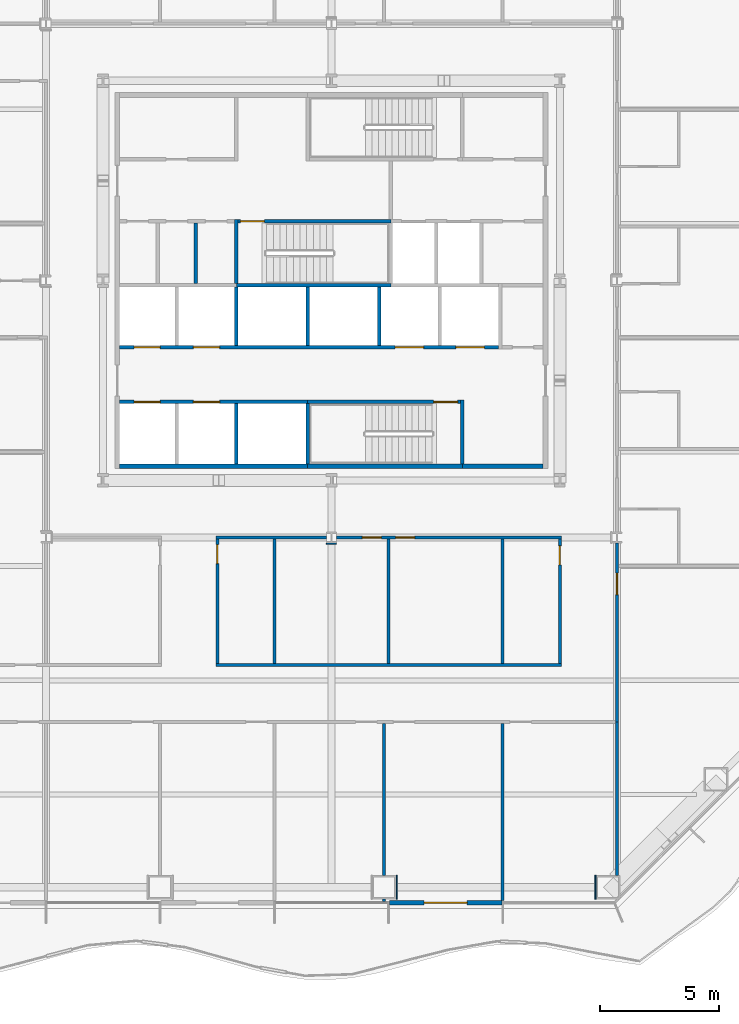
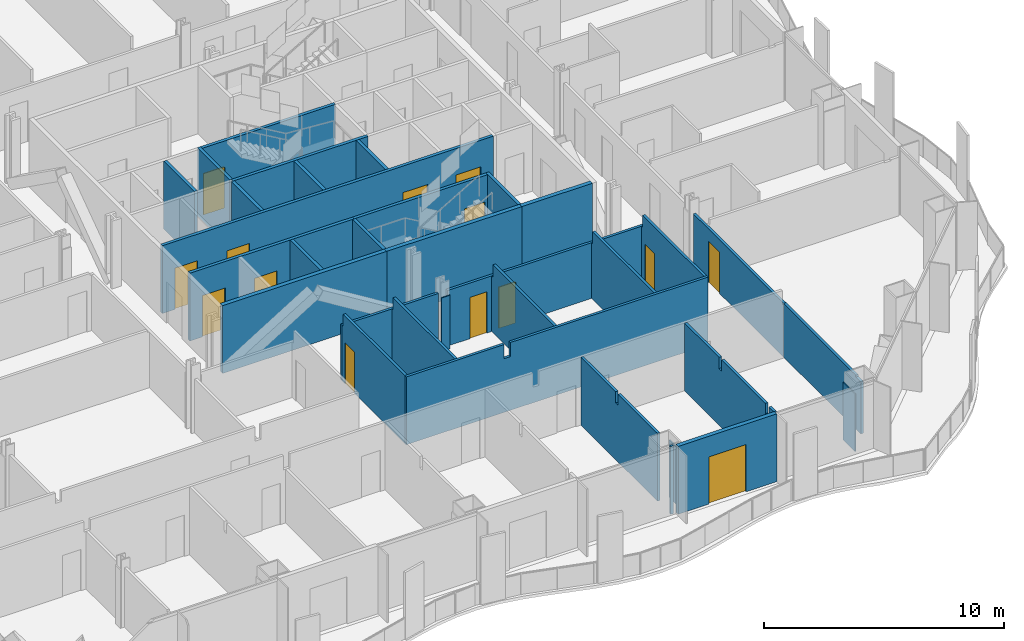
# One storey, part 9 of 20: 33 walls, 14 doors, 14 openings.
"""IFC4 building model written with IfcOpenShell, lengths in metres."""

import ifcopenshell
import ifcopenshell.guid

model = None  # the IFC model being written
_history = None  # IfcOwnerHistory: only IFC2X3 demands one
_inside = {}  # id of a spatial element -> (the spatial element, [elements in it])
_under = {}  # id of a project, library or spatial element -> (it, [spatial elements below it])
_declared = {}  # id of a project -> (the project, [libraries it declares])
_typed = {}  # id of a type object -> (the type object, [elements of that type])
_made_of = {}  # id of a material, layer set ... -> (it, [elements and type objects made of it])


def new_model(schema):
    """Start an empty IFC model of exactly this schema.

    Asked for "IFC4X3", IfcOpenShell would pick the latest addendum, in which some entities
    have other attributes; the version numbers below select the first issue.
    IFC2X3 requires an IfcOwnerHistory on every rooted entity: one is made here for all.
    """
    global model, _history
    if schema == "IFC4X3":
        model = ifcopenshell.file(schema_version=(4, 3, 0, 0))
    else:
        model = ifcopenshell.file(schema=schema)
    _inside.clear()
    _under.clear()
    _declared.clear()
    _typed.clear()
    _made_of.clear()
    _history = None
    if model.schema == "IFC2X3":
        org = make("IfcOrganization", Name="unknown")
        user = make(
            "IfcPersonAndOrganization",
            ThePerson=make("IfcPerson", FamilyName="unknown"),
            TheOrganization=org,
        )
        app = make(
            "IfcApplication",
            ApplicationDeveloper=org,
            Version="unknown",
            ApplicationFullName="unknown",
            ApplicationIdentifier="unknown",
        )
        _history = make(
            "IfcOwnerHistory",
            OwningUser=user,
            OwningApplication=app,
            ChangeAction="ADDED",
            CreationDate=0,
        )
    return model


def make(cls, **values):
    """One entity of the class cls with the attributes given. An attribute that is None is left unset."""
    return model.create_entity(
        cls, **{name: value for name, value in values.items() if value is not None}
    )


def rooted(cls, **values):
    """An entity with a GlobalId (a new one), such as an element, a storey or a relation."""
    return make(cls, GlobalId=ifcopenshell.guid.new(), OwnerHistory=_history, **values)


def si_unit(unit_type, name, prefix=None):
    """IfcSIUnit, for example si_unit("LENGTHUNIT", "METRE", prefix="MILLI")."""
    return make("IfcSIUnit", UnitType=unit_type, Prefix=prefix, Name=name)


def assignment(units):
    """IfcUnitAssignment: the units of a project."""
    return None if units is None else make("IfcUnitAssignment", Units=units)


def point(xyz):
    """IfcCartesianPoint."""
    return None if xyz is None else make("IfcCartesianPoint", Coordinates=xyz)


def direction(xyz):
    """IfcDirection."""
    return None if xyz is None else make("IfcDirection", DirectionRatios=xyz)


def frame(location, z_axis=None, x_axis=None):
    """IfcAxis2Placement3D, a coordinate frame: its origin and axes. An axis left out is left unset."""
    return make(
        "IfcAxis2Placement3D",
        Location=point(location),
        Axis=direction(z_axis),
        RefDirection=direction(x_axis),
    )


def frame_2d(location, x_axis=None):
    """IfcAxis2Placement2D, a coordinate frame in the plane: its origin and x axis."""
    return make(
        "IfcAxis2Placement2D", Location=point(location), RefDirection=direction(x_axis)
    )


def origin():
    """The frame at (0, 0, 0) with its axes left unset."""
    return frame((0.0, 0.0, 0.0))


def place(relative_to, where):
    """IfcLocalPlacement: puts the frame where relative to a parent placement (None: the world)."""
    return make(
        "IfcLocalPlacement", PlacementRelTo=relative_to, RelativePlacement=where
    )


def context(
    kind, dimensions, precision=None, world=None, true_north=None, identifier=None
):
    """IfcGeometricRepresentationContext, for example the 3D "Model" context."""
    return make(
        "IfcGeometricRepresentationContext",
        ContextIdentifier=identifier,
        ContextType=kind,
        CoordinateSpaceDimension=dimensions,
        Precision=precision,
        WorldCoordinateSystem=world,
        TrueNorth=true_north,
    )


def subcontext(parent, identifier, kind, view, scale=None):
    """IfcGeometricRepresentationSubContext, for example "Body" below "Model"."""
    return make(
        "IfcGeometricRepresentationSubContext",
        ContextIdentifier=identifier,
        ContextType=kind,
        ParentContext=parent,
        TargetScale=scale,
        TargetView=view,
    )


def project(units=None, contexts=None):
    """IfcProject with its units and contexts."""
    return rooted(
        "IfcProject",
        Name="project",
        RepresentationContexts=contexts,
        UnitsInContext=assignment(units),
    )


def spatial(cls, under=None, at=None, **own):
    """A site, building, storey or space (cls), placed at a placement, below another one or the project."""
    s = rooted(cls, ObjectPlacement=at, **own)
    if under is not None:
        _under.setdefault(under.id(), (under, []))[1].append(s)
    return s


def polyline(points):
    """IfcPolyline through the points."""
    return make("IfcPolyline", Points=[point(p) for p in points])


def profile(cls, at=None, kind="AREA", **sizes):
    """A parametric profile (cls). Its sizes go by their IFC names, for example OverallWidth=200.0."""
    return make(cls, ProfileType=kind, Position=at, **sizes)


def rectangle(**sizes):
    """IfcRectangleProfileDef."""
    return profile("IfcRectangleProfileDef", **sizes)


def outline(outer, holes=None, kind="AREA"):
    """IfcArbitraryClosedProfileDef: a profile drawn as a closed curve; with holes, ...WithVoids."""
    if holes is None:
        return make("IfcArbitraryClosedProfileDef", ProfileType=kind, OuterCurve=outer)
    return make(
        "IfcArbitraryProfileDefWithVoids",
        ProfileType=kind,
        OuterCurve=outer,
        InnerCurves=holes,
    )


def extrude(swept, where, along, depth):
    """IfcExtrudedAreaSolid: the profile swept, set in the frame where, extruded along a direction by depth."""
    return make(
        "IfcExtrudedAreaSolid",
        SweptArea=swept,
        Position=where,
        ExtrudedDirection=direction(along),
        Depth=depth,
    )


def shape(context_of_items, identifier, shape_type, items):
    """IfcShapeRepresentation: the items that make up one representation, for example the "Body"."""
    return make(
        "IfcShapeRepresentation",
        ContextOfItems=context_of_items,
        RepresentationIdentifier=identifier,
        RepresentationType=shape_type,
        Items=items,
    )


def material(Name=None, Category=None):
    """IfcMaterial."""
    return make("IfcMaterial", Name=Name, Category=Category)


def layer(
    of_material, thickness, ventilated=None, Name=None, Category=None, Priority=None
):
    """IfcMaterialLayer: one layer of a wall or slab, of a material (None: an air gap)."""
    return make(
        "IfcMaterialLayer",
        Material=of_material,
        LayerThickness=thickness,
        IsVentilated=ventilated,
        Name=Name,
        Category=Category,
        Priority=Priority,
    )


def layer_set(layers, Name=None):
    """IfcMaterialLayerSet."""
    return make("IfcMaterialLayerSet", MaterialLayers=layers, LayerSetName=Name)


def made_of(thing, what):
    """Note that an element or type object is made of a material, layer set ...; save() writes the relation."""
    if what is not None:
        _made_of.setdefault(what.id(), (what, []))[1].append(thing)
    return thing


def type_object(cls, material=None, **own):
    """A type object (cls), such as IfcWallType, which elements share."""
    return made_of(rooted(cls, **own), material)


def element(
    cls,
    number,
    at=None,
    inside=None,
    cuts=None,
    type_object=None,
    material=None,
    context=None,
    identifier="Body",
    shape_type=None,
    held_by="IfcProductDefinitionShape",
    body=None,
    shapes=None,
    **own,
):
    """One element of the class cls, such as IfcWall. Its Tag is "e" and its number.

    at: its placement. inside: the storey or other place that contains it. cuts: it is an
    opening in that element (IfcRelVoidsElement). A single representation is given by context,
    identifier, shape_type and body (its items); several are given by shapes. held_by: the class
    of the entity that holds the representations. save() writes the other relations.
    """
    e = rooted(cls, Tag="e%d" % number, ObjectPlacement=at, **own)
    if body is not None:
        shapes = [shape(context, identifier, shape_type, body)]
    if shapes is not None:
        e.Representation = make(held_by, Representations=shapes)
    if inside is not None:
        _inside.setdefault(inside.id(), (inside, []))[1].append(e)
    if cuts is not None:
        rooted(
            "IfcRelVoidsElement", RelatingBuildingElement=cuts, RelatedOpeningElement=e
        )
    if type_object is not None:
        _typed.setdefault(type_object.id(), (type_object, []))[1].append(e)
    return made_of(e, material)


def fill(opening, filler):
    """IfcRelFillsElement: the door or window that sits in an opening."""
    return rooted(
        "IfcRelFillsElement",
        RelatingOpeningElement=opening,
        RelatedBuildingElement=filler,
    )


def aggregate(whole, parts):
    """IfcRelAggregates: a whole, such as a stair, and the parts it consists of."""
    return rooted("IfcRelAggregates", RelatingObject=whole, RelatedObjects=parts)


def save(model, path):
    """Write the relations noted so far, then the file.

    IfcRelAggregates (storeys below a building ...), IfcRelContainedInSpatialStructure (elements
    in a storey), IfcRelDefinesByType, IfcRelAssociatesMaterial and IfcRelDeclares: one each for
    every whole, place, type object, material and project.
    """
    for whole, parts in _under.values():
        aggregate(whole, parts)
    for where, things in _inside.values():
        rooted(
            "IfcRelContainedInSpatialStructure",
            RelatedElements=things,
            RelatingStructure=where,
        )
    for kind, things in _typed.values():
        rooted("IfcRelDefinesByType", RelatedObjects=things, RelatingType=kind)
    for what, things in _made_of.values():
        rooted("IfcRelAssociatesMaterial", RelatedObjects=things, RelatingMaterial=what)
    for by, libraries in _declared.values():
        rooted("IfcRelDeclares", RelatingContext=by, RelatedDefinitions=libraries)
    model.write(path)


model = new_model("IFC4")

# Units and contexts
model_context = context("Model", 3, precision=1e-05, world=origin(), true_north=direction((0.0, 1.0)))
body_context = subcontext(model_context, "Body", "Model", "MODEL_VIEW")
ifc_project = project(units=[si_unit("LENGTHUNIT", "METRE"), si_unit("AREAUNIT", "SQUARE_METRE"), si_unit("VOLUMEUNIT", "CUBIC_METRE"), si_unit("PLANEANGLEUNIT", "RADIAN"), si_unit("MASSUNIT", "GRAM", prefix="KILO")], contexts=[model_context])

# Site, building, storey
site_placement = place(None, origin())
site = spatial("IfcSite", under=ifc_project, at=site_placement, CompositionType="ELEMENT")
building_placement = place(site_placement, origin())
building = spatial("IfcBuilding", under=site, at=building_placement, Name="Cairn Pilgrim Tower", CompositionType="ELEMENT")
storey_placement = place(building_placement, frame((0.0, 0.0, 61.800048828125)))
storey = spatial("IfcBuildingStorey", under=building, at=storey_placement, Name="L13", CompositionType="ELEMENT", Elevation=61.800048828125)

# Wall, opening, door
ifc_material_1 = material(Name="Bronze anodised aluminium insulated sandwich panel with mineral wool fill", Category="aluminium")
ifc_layer_1 = layer(ifc_material_1, 0.199951171875)
ifc_layer_set_1 = layer_set([ifc_layer_1], Name="BRONZE INFILL FRAME WALL 200")
wall_type_1 = type_object("IfcWallType", Name="BRONZE INFILL FRAME WALL 200", PredefinedType="NOTDEFINED", material=ifc_layer_set_1)
wall_1_placement = place(storey_placement, frame((9.6298828125, -23.75, 0.0), z_axis=(0.0, 0.0, 1.0), x_axis=(1.0, 0.0, 0.0)))
wall_1 = element("IfcWall", 1, at=wall_1_placement, inside=storey, type_object=wall_type_1, Name="Bronze infill frame wall IW-S7", PredefinedType="NOTDEFINED", context=body_context, shape_type="SweptSolid", body=[
    extrude(rectangle(XDim=4.740234375, YDim=0.199951171875, at=frame_2d((2.3701171875, 0.0))), origin(), (0.0, 0.0, 1.0), 3.449951171875),
])
opening_1_placement = place(wall_1_placement, frame((1.469970703125, 0.0, 0.0)))
opening_1 = element("IfcOpeningElement", 2, at=opening_1_placement, cuts=wall_1, Name="Opening 1307B", PredefinedType="OPENING", context=body_context, shape_type="SweptSolid", body=[
    extrude(rectangle(XDim=1.800048828125, YDim=2.39990234375, at=frame_2d((0.89990234375, 1.199951171875))), frame((0.0, 0.10986328125, 0.0), z_axis=(0.0, -1.0, 0.0), x_axis=(1.0, 0.0, 0.0)), (0.0, 0.0, 1.0), 0.219970703125),
])
ifc_material_2 = material(Name="Bronze anodised aluminium frame with tinted low-E glass", Category="aluminium")
door_type_1 = type_object("IfcDoorType", Name="BALCONY SLIDING DOOR 1800x2400", OperationType="DOUBLE_DOOR_SLIDING", PredefinedType="DOOR", material=ifc_material_2)
door_1_placement = place(opening_1_placement, origin())
door_1 = element("IfcDoor", 3, at=door_1_placement, inside=storey, type_object=door_type_1, Name="Balcony sliding door 1307B", OperationType="SINGLE_SWING_LEFT", OverallHeight=2.39990234375, OverallWidth=1.800048828125, PredefinedType="DOOR", context=body_context, shape_type="SweptSolid", body=[
    extrude(rectangle(XDim=1.800048828125, YDim=2.39990234375, at=frame_2d((0.89990234375, 1.199951171875))), frame((0.0, 0.02490234375, 0.0), z_axis=(0.0, -1.0, 0.0), x_axis=(1.0, 0.0, 0.0)), (0.0, 0.0, 1.0), 0.050048828125),
])
fill(opening_1, door_1)

# Walls
ifc_material_3 = material(Name="Concrete C32/40", Category="concrete")
ifc_layer_2 = layer(ifc_material_3, 0.199951171875)
ifc_layer_set_2 = layer_set([ifc_layer_2], Name="CORE OUTER WALL 200 EI 120")
wall_type_2 = type_object("IfcWallType", Name="CORE OUTER WALL 200 EI 120", PredefinedType="SOLIDWALL", material=ifc_layer_set_2)
wall_2_placement = place(storey_placement, frame((-1.699951171875, -5.39990234375, 0.0), z_axis=(0.0, 0.0, 1.0), x_axis=(1.0, 0.0, 0.0)))
element("IfcWall", 4, at=wall_2_placement, inside=storey, type_object=wall_type_2, Name="CW:L13:H01-1", PredefinedType="SOLIDWALL", context=body_context, shape_type="SweptSolid", body=[
    extrude(rectangle(XDim=7.89990234375, YDim=0.199951171875, at=frame_2d((3.949951171875, 0.0))), origin(), (0.0, 0.0, 1.0), 3.449951171875),
])
wall_3_placement = place(storey_placement, frame((12.699951171875, -5.39990234375, 0.0), z_axis=(0.0, 0.0, 1.0), x_axis=(1.0, 0.0, 0.0)))
element("IfcWall", 5, at=wall_3_placement, inside=storey, type_object=wall_type_2, Name="CW:L13:H01-3", PredefinedType="SOLIDWALL", context=body_context, shape_type="SweptSolid", body=[
    extrude(rectangle(XDim=3.400146484375, YDim=0.199951171875, at=frame_2d((1.7001953125, 0.0))), origin(), (0.0, 0.0, 1.0), 3.449951171875),
])
ifc_layer_3 = layer(ifc_material_3, 0.14990234375)
ifc_layer_set_3 = layer_set([ifc_layer_3], Name="CORE PARTITION 150 EI 60")
wall_type_3 = type_object("IfcWallType", Name="CORE PARTITION 150 EI 60", PredefinedType="PARTITIONING", material=ifc_layer_set_3)
wall_4_placement = place(storey_placement, frame((1.5, 2.27490234375, 0.0), z_axis=(0.0, 0.0, 1.0), x_axis=(0.0, 1.0, 0.0)))
element("IfcWall", 6, at=wall_4_placement, inside=storey, type_object=wall_type_3, Name="CW:L13:V16", PredefinedType="PARTITIONING", context=body_context, shape_type="SweptSolid", body=[
    extrude(rectangle(XDim=2.550048828125, YDim=0.14990234375, at=frame_2d((1.27490234375, 0.0))), origin(), (0.0, 0.0, 1.0), 3.449951171875),
])

# Wall, openings, doors
ifc_layer_4 = layer(ifc_material_3, 0.14990234375)
ifc_layer_set_4 = layer_set([ifc_layer_4], Name="CORE SHAFT WALL 150 EI 120")
wall_type_4 = type_object("IfcWallType", Name="CORE SHAFT WALL 150 EI 120", PredefinedType="SOLIDWALL", material=ifc_layer_set_4)
wall_5_placement = place(storey_placement, frame((-1.699951171875, -2.699951171875, 0.0), z_axis=(0.0, 0.0, 1.0), x_axis=(1.0, 0.0, 0.0)))
wall_5 = element("IfcWall", 7, at=wall_5_placement, inside=storey, type_object=wall_type_4, Name="CW:L13:H02-1", PredefinedType="SOLIDWALL", context=body_context, shape_type="SweptSolid", body=[
    extrude(rectangle(XDim=7.89990234375, YDim=0.14990234375, at=frame_2d((3.949951171875, 0.0))), origin(), (0.0, 0.0, 1.0), 3.449951171875),
])
opening_2_placement = place(wall_5_placement, frame((0.60009765625, 0.0, 0.0)))
opening_2 = element("IfcOpeningElement", 8, at=opening_2_placement, cuts=wall_5, Name="Opening LD-LR1", PredefinedType="OPENING", context=body_context, shape_type="SweptSolid", body=[
    extrude(rectangle(XDim=1.10009765625, YDim=2.10009765625, at=frame_2d((0.550048828125, 1.050048828125))), frame((0.0, 0.0849609375, 0.0), z_axis=(0.0, -1.0, 0.0), x_axis=(1.0, 0.0, 0.0)), (0.0, 0.0, 1.0), 0.169921875),
])
opening_3_placement = place(wall_5_placement, frame((3.10009765625, 0.0, 0.0)))
opening_3 = element("IfcOpeningElement", 9, at=opening_3_placement, cuts=wall_5, Name="Opening LD-LR2", PredefinedType="OPENING", context=body_context, shape_type="SweptSolid", body=[
    extrude(rectangle(XDim=1.10009765625, YDim=2.10009765625, at=frame_2d((0.550048828125, 1.050048828125))), frame((0.0, 0.0849609375, 0.0), z_axis=(0.0, -1.0, 0.0), x_axis=(1.0, 0.0, 0.0)), (0.0, 0.0, 1.0), 0.169921875),
])
ifc_material_4 = material(Name="Stainless steel", Category="steel")
door_type_2 = type_object("IfcDoorType", Name="LIFT LANDING DOOR 1100x2100", OperationType="DOUBLE_DOOR_SLIDING", PredefinedType="DOOR", material=ifc_material_4)
door_2_placement = place(opening_2_placement, origin())
door_2 = element("IfcDoor", 10, at=door_2_placement, inside=storey, type_object=door_type_2, Name="LANDING DOOR LR1", OperationType="DOUBLE_DOOR_SLIDING", OverallHeight=2.10009765625, OverallWidth=1.10009765625, PredefinedType="DOOR", context=body_context, shape_type="SweptSolid", body=[
    extrude(rectangle(XDim=1.10009765625, YDim=2.10009765625, at=frame_2d((0.550048828125, 1.050048828125))), frame((0.0, 0.02490234375, 0.0), z_axis=(0.0, -1.0, 0.0), x_axis=(1.0, 0.0, 0.0)), (0.0, 0.0, 1.0), 0.050048828125),
])
fill(opening_2, door_2)
door_3_placement = place(opening_3_placement, origin())
door_3 = element("IfcDoor", 11, at=door_3_placement, inside=storey, type_object=door_type_2, Name="LANDING DOOR LR2", OperationType="DOUBLE_DOOR_SLIDING", OverallHeight=2.10009765625, OverallWidth=1.10009765625, PredefinedType="DOOR", context=body_context, shape_type="SweptSolid", body=[
    extrude(rectangle(XDim=1.10009765625, YDim=2.10009765625, at=frame_2d((0.550048828125, 1.050048828125))), frame((0.0, 0.02490234375, 0.0), z_axis=(0.0, -1.0, 0.0), x_axis=(1.0, 0.0, 0.0)), (0.0, 0.0, 1.0), 0.050048828125),
])
fill(opening_3, door_3)

wall_6_placement = place(storey_placement, frame((-1.699951171875, -0.39990234375, 0.0), z_axis=(0.0, 0.0, 1.0), x_axis=(1.0, 0.0, 0.0)))
wall_6 = element("IfcWall", 12, at=wall_6_placement, inside=storey, type_object=wall_type_4, Name="CW:L13:H03", PredefinedType="SOLIDWALL", context=body_context, shape_type="SweptSolid", body=[
    extrude(rectangle(XDim=15.925048828125, YDim=0.14990234375, at=frame_2d((7.96240234375, 0.0))), origin(), (0.0, 0.0, 1.0), 3.449951171875),
])
opening_4_placement = place(wall_6_placement, frame((0.60009765625, 0.0, 0.0)))
opening_4 = element("IfcOpeningElement", 13, at=opening_4_placement, cuts=wall_6, Name="Opening LD-LR3", PredefinedType="OPENING", context=body_context, shape_type="SweptSolid", body=[
    extrude(rectangle(XDim=1.10009765625, YDim=2.10009765625, at=frame_2d((0.550048828125, 1.050048828125))), frame((0.0, 0.0849609375, 0.0), z_axis=(0.0, -1.0, 0.0), x_axis=(1.0, 0.0, 0.0)), (0.0, 0.0, 1.0), 0.169921875),
])
opening_5_placement = place(wall_6_placement, frame((3.10009765625, 0.0, 0.0)))
opening_5 = element("IfcOpeningElement", 14, at=opening_5_placement, cuts=wall_6, Name="Opening LD-LR4", PredefinedType="OPENING", context=body_context, shape_type="SweptSolid", body=[
    extrude(rectangle(XDim=1.10009765625, YDim=2.10009765625, at=frame_2d((0.550048828125, 1.050048828125))), frame((0.0, 0.0849609375, 0.0), z_axis=(0.0, -1.0, 0.0), x_axis=(1.0, 0.0, 0.0)), (0.0, 0.0, 1.0), 0.169921875),
])
opening_6_placement = place(wall_6_placement, frame((11.574951171875, 0.0, 0.0)))
opening_6 = element("IfcOpeningElement", 15, at=opening_6_placement, cuts=wall_6, Name="Opening LD-SV1", PredefinedType="OPENING", context=body_context, shape_type="SweptSolid", body=[
    extrude(rectangle(XDim=1.199951171875, YDim=2.10009765625, at=frame_2d((0.60009765625, 1.050048828125))), frame((0.0, 0.0849609375, 0.0), z_axis=(0.0, -1.0, 0.0), x_axis=(1.0, 0.0, 0.0)), (0.0, 0.0, 1.0), 0.169921875),
])
opening_7_placement = place(wall_6_placement, frame((14.125, 0.0, 0.0)))
opening_7 = element("IfcOpeningElement", 16, at=opening_7_placement, cuts=wall_6, Name="Opening LD-SV2", PredefinedType="OPENING", context=body_context, shape_type="SweptSolid", body=[
    extrude(rectangle(XDim=1.199951171875, YDim=2.10009765625, at=frame_2d((0.60009765625, 1.050048828125))), frame((0.0, 0.0849609375, 0.0), z_axis=(0.0, -1.0, 0.0), x_axis=(1.0, 0.0, 0.0)), (0.0, 0.0, 1.0), 0.169921875),
])
door_4_placement = place(opening_4_placement, origin())
door_4 = element("IfcDoor", 17, at=door_4_placement, inside=storey, type_object=door_type_2, Name="LANDING DOOR LR3", OperationType="DOUBLE_DOOR_SLIDING", OverallHeight=2.10009765625, OverallWidth=1.10009765625, PredefinedType="DOOR", context=body_context, shape_type="SweptSolid", body=[
    extrude(rectangle(XDim=1.10009765625, YDim=2.10009765625, at=frame_2d((0.550048828125, 1.050048828125))), frame((0.0, 0.02490234375, 0.0), z_axis=(0.0, -1.0, 0.0), x_axis=(1.0, 0.0, 0.0)), (0.0, 0.0, 1.0), 0.050048828125),
])
fill(opening_4, door_4)
door_5_placement = place(opening_5_placement, origin())
door_5 = element("IfcDoor", 18, at=door_5_placement, inside=storey, type_object=door_type_2, Name="LANDING DOOR LR4", OperationType="DOUBLE_DOOR_SLIDING", OverallHeight=2.10009765625, OverallWidth=1.10009765625, PredefinedType="DOOR", context=body_context, shape_type="SweptSolid", body=[
    extrude(rectangle(XDim=1.10009765625, YDim=2.10009765625, at=frame_2d((0.550048828125, 1.050048828125))), frame((0.0, 0.02490234375, 0.0), z_axis=(0.0, -1.0, 0.0), x_axis=(1.0, 0.0, 0.0)), (0.0, 0.0, 1.0), 0.050048828125),
])
fill(opening_5, door_5)
door_type_3 = type_object("IfcDoorType", Name="LIFT LANDING DOOR 1200x2100", OperationType="DOUBLE_DOOR_SLIDING", PredefinedType="DOOR", material=ifc_material_4)
door_6_placement = place(opening_6_placement, origin())
door_6 = element("IfcDoor", 19, at=door_6_placement, inside=storey, type_object=door_type_3, Name="LANDING DOOR SV1", OperationType="DOUBLE_DOOR_SLIDING", OverallHeight=2.10009765625, OverallWidth=1.199951171875, PredefinedType="DOOR", context=body_context, shape_type="SweptSolid", body=[
    extrude(rectangle(XDim=1.199951171875, YDim=2.10009765625, at=frame_2d((0.60009765625, 1.050048828125))), frame((0.0, 0.02490234375, 0.0), z_axis=(0.0, -1.0, 0.0), x_axis=(1.0, 0.0, 0.0)), (0.0, 0.0, 1.0), 0.050048828125),
])
fill(opening_6, door_6)
door_7_placement = place(opening_7_placement, origin())
door_7 = element("IfcDoor", 20, at=door_7_placement, inside=storey, type_object=door_type_3, Name="LANDING DOOR SV2", OperationType="DOUBLE_DOOR_SLIDING", OverallHeight=2.10009765625, OverallWidth=1.199951171875, PredefinedType="DOOR", context=body_context, shape_type="SweptSolid", body=[
    extrude(rectangle(XDim=1.199951171875, YDim=2.10009765625, at=frame_2d((0.60009765625, 1.050048828125))), frame((0.0, 0.02490234375, 0.0), z_axis=(0.0, -1.0, 0.0), x_axis=(1.0, 0.0, 0.0)), (0.0, 0.0, 1.0), 0.050048828125),
])
fill(opening_7, door_7)

# Walls
wall_7_placement = place(storey_placement, frame((3.199951171875, -5.300048828125, 0.0), z_axis=(0.0, 0.0, 1.0), x_axis=(0.0, 1.0, 0.0)))
element("IfcWall", 21, at=wall_7_placement, inside=storey, type_object=wall_type_4, Name="CW:L13:V17", PredefinedType="SOLIDWALL", context=body_context, shape_type="SweptSolid", body=[
    extrude(rectangle(XDim=2.525146484375, YDim=0.14990234375, at=frame_2d((1.2626953125, 0.0))), origin(), (0.0, 0.0, 1.0), 3.449951171875),
])
for number, where, z_axis, x_axis, name in (
    (22, (3.199951171875, -0.324951171875, 0.0), (0.0, 0.0, 1.0), (0.0, 1.0, 0.0), "CW:L13:V18"),
    (23, (6.199951171875, -0.324951171875, 0.0), (0.0, 0.0, 1.0), (0.0, 1.0, 0.0), "CW:L13:V22"),
    (24, (9.199951171875, -0.324951171875, 0.0), (0.0, 0.0, 1.0), (0.0, 1.0, 0.0), "CW:L13:V24"),
):
    element("IfcWall", number, at=place(storey_placement, frame(where, z_axis=z_axis, x_axis=x_axis)), inside=storey, type_object=wall_type_4, Name=name, PredefinedType="SOLIDWALL", context=body_context, shape_type="SweptSolid", body=[
        extrude(rectangle(XDim=2.449951171875, YDim=0.14990234375, at=frame_2d((1.22509765625, 0.0))), origin(), (0.0, 0.0, 1.0), 3.449951171875),
    ])
ifc_material_5 = material(Name="Gypsum partition")
ifc_layer_5 = layer(ifc_material_5, 0.125)
ifc_layer_set_5 = layer_set([ifc_layer_5], Name="PARTITION 125 DRYWALL EI 60")
wall_type_5 = type_object("IfcWallType", Name="PARTITION 125 DRYWALL EI 60", PredefinedType="PARTITIONING", material=ifc_layer_set_5)
wall_8_placement = place(storey_placement, frame((9.4140625, -23.702880859375, 0.0), z_axis=(0.0, 0.0, 1.0), x_axis=(0.0, 1.0, 0.0)))
element("IfcWall", 25, at=wall_8_placement, inside=storey, type_object=wall_type_5, Name="PARTITION W004", PredefinedType="PARTITIONING", context=body_context, shape_type="SweptSolid", body=[
    extrude(rectangle(XDim=0.102783203125, YDim=0.125, at=frame_2d((0.05126953125, 0.0))), origin(), (0.0, 0.0, 1.0), 3.449951171875),
])
wall_9_placement = place(storey_placement, frame((14.39990234375, -23.64990234375, 0.0), z_axis=(0.0, 0.0, 1.0), x_axis=(0.0, 1.0, 0.0)))
element("IfcWall", 26, at=wall_9_placement, inside=storey, type_object=wall_type_5, Name="PARTITION W005", PredefinedType="PARTITIONING", context=body_context, shape_type="SweptSolid", body=[
    extrude(outline(polyline([(0.0, 0.0), (7.4375, 0.0), (7.4375, 3.449951171875), (4.554931640625, 3.449951171875), (4.552978515625, 2.8798828125), (4.344970703125, 2.8798828125), (4.343017578125, 3.449951171875), (0.699951171875, 3.449951171875), (0.697998046875, 2.929931640625), (0.39990234375, 2.929931640625), (0.39794921875, 3.449951171875), (0.0, 3.449951171875), (0.0, 0.0)])), frame((0.0, 0.0625, 0.0), z_axis=(0.0, -1.0, 0.0), x_axis=(1.0, 0.0, 0.0)), (0.0, 0.0, 1.0), 0.125),
])
wall_10_placement = place(storey_placement, frame((9.4140625, -22.60009765625, 0.0), z_axis=(0.0, 0.0, 1.0), x_axis=(0.0, 1.0, 0.0)))
element("IfcWall", 27, at=wall_10_placement, inside=storey, type_object=wall_type_5, Name="PARTITION W008", PredefinedType="PARTITIONING", context=body_context, shape_type="SweptSolid", body=[
    extrude(outline(polyline([(0.0, 0.0), (6.3876953125, 0.0), (6.387451171875, 3.449951171875), (3.5048828125, 3.449951171875), (3.5029296875, 2.8798828125), (3.294921875, 2.8798828125), (3.29296875, 3.449951171875), (0.0, 3.449951171875), (0.0, 0.0)])), frame((0.0, 0.0625, 0.0), z_axis=(0.0, -1.0, 0.0), x_axis=(1.0, 0.0, 0.0)), (0.0, 0.0, 1.0), 0.125),
])
wall_11_placement = place(storey_placement, frame((19.199951171875, -22.60009765625, 0.0), z_axis=(0.0, 0.0, 1.0), x_axis=(0.0, 1.0, 0.0)))
element("IfcWall", 28, at=wall_11_placement, inside=storey, type_object=wall_type_5, Name="PARTITION W009", PredefinedType="PARTITIONING", context=body_context, shape_type="SweptSolid", body=[
    extrude(outline(polyline([(0.0, 0.0), (6.4501953125, 0.0), (6.449951171875, 2.72998046875), (0.430419921875, 2.72998046875), (0.42822265625, 2.6298828125), (0.0, 2.6298828125), (0.0, 0.0)])), frame((0.0, 0.0625, 0.0), z_axis=(0.0, -1.0, 0.0), x_axis=(1.0, 0.0, 0.0)), (0.0, 0.0, 1.0), 0.125),
])

# Wall, opening, door
wall_12_placement = place(storey_placement, frame((19.199951171875, -16.14990234375, 0.0), z_axis=(0.0, 0.0, 1.0), x_axis=(0.0, 1.0, 0.0)))
wall_12 = element("IfcWall", 29, at=wall_12_placement, inside=storey, type_object=wall_type_5, Name="PARTITION W014", PredefinedType="PARTITIONING", context=body_context, shape_type="SweptSolid", body=[
    extrude(rectangle(XDim=7.512939453125, YDim=0.125, at=frame_2d((3.75634765625, 0.0))), origin(), (0.0, 0.0, 1.0), 2.72998046875),
])
opening_8_placement = place(wall_12_placement, frame((5.35009765625, 0.0, 0.0)))
opening_8 = element("IfcOpeningElement", 30, at=opening_8_placement, cuts=wall_12, Name="Opening 1323", PredefinedType="OPENING", context=body_context, shape_type="SweptSolid", body=[
    extrude(rectangle(XDim=0.89990234375, YDim=2.10009765625, at=frame_2d((0.449951171875, 1.050048828125))), frame((0.0, 0.072509765625, 0.0), z_axis=(0.0, -1.0, 0.0), x_axis=(1.0, 0.0, 0.0)), (0.0, 0.0, 1.0), 0.14501953125),
])
ifc_material_6 = material(Name="Steel-faced fire door leaf", Category="steel")
door_type_4 = type_object("IfcDoorType", Name="FIRE DOOR 900x2100 FD30S", OperationType="NOTDEFINED", PredefinedType="DOOR", material=ifc_material_6)
door_8_placement = place(opening_8_placement, frame((0.89990234375, 0.0, 0.0), z_axis=(0.0, 0.0, 1.0), x_axis=(-1.0, 0.0, 0.0)))
door_8 = element("IfcDoor", 31, at=door_8_placement, inside=storey, type_object=door_type_4, Name="DOOR 1323", OperationType="SINGLE_SWING_RIGHT", OverallHeight=2.10009765625, OverallWidth=0.89990234375, PredefinedType="DOOR", context=body_context, shape_type="SweptSolid", body=[
    extrude(rectangle(XDim=0.89990234375, YDim=2.10009765625, at=frame_2d((0.449951171875, 1.050048828125))), frame((0.0, 0.02490234375, 0.0), z_axis=(0.0, -1.0, 0.0), x_axis=(1.0, 0.0, 0.0)), (0.0, 0.0, 1.0), 0.050048828125),
])
fill(opening_8, door_8)

# Wall
wall_13_placement = place(storey_placement, frame((2.33740234375, -13.75, 0.0), z_axis=(0.0, 0.0, 1.0), x_axis=(1.0, 0.0, 0.0)))
element("IfcWall", 32, at=wall_13_placement, inside=storey, type_object=wall_type_5, Name="PARTITION W016", PredefinedType="PARTITIONING", context=body_context, shape_type="SweptSolid", body=[
    extrude(outline(polyline([(0.0, 0.0), (14.525146484375, 0.0), (14.52490234375, 3.449951171875), (5.012451171875, 3.449951171875), (5.010498046875, 2.72998046875), (4.71240234375, 2.72998046875), (4.71044921875, 3.449951171875), (0.0, 3.449951171875), (0.0, 0.0)])), frame((0.0, 0.0625, 0.0), z_axis=(0.0, -1.0, 0.0), x_axis=(1.0, 0.0, 0.0)), (0.0, 0.0, 1.0), 0.125),
])

# Wall, opening, door
wall_14_placement = place(storey_placement, frame((2.39990234375, -13.6875, 0.0), z_axis=(0.0, 0.0, 1.0), x_axis=(0.0, 1.0, 0.0)))
wall_14 = element("IfcWall", 33, at=wall_14_placement, inside=storey, type_object=wall_type_5, Name="PARTITION W021", PredefinedType="PARTITIONING", context=body_context, shape_type="SweptSolid", body=[
    extrude(outline(polyline([(0.0, 0.0), (5.22509765625, 0.0), (5.22509765625, 2.829833984375), (5.137451171875, 2.829833984375), (5.135498046875, 3.449951171875), (0.0, 3.449951171875), (0.0, 0.0)])), frame((0.0, 0.0625, 0.0), z_axis=(0.0, -1.0, 0.0), x_axis=(1.0, 0.0, 0.0)), (0.0, 0.0, 1.0), 0.125),
])
opening_9_placement = place(wall_14_placement, frame((4.1875, 0.0, 0.0)))
opening_9 = element("IfcOpeningElement", 34, at=opening_9_placement, cuts=wall_14, Name="Opening 1336", PredefinedType="OPENING", context=body_context, shape_type="SweptSolid", body=[
    extrude(rectangle(XDim=0.800048828125, YDim=2.10009765625, at=frame_2d((0.39990234375, 1.050048828125))), frame((0.0, 0.072509765625, 0.0), z_axis=(0.0, -1.0, 0.0), x_axis=(1.0, 0.0, 0.0)), (0.0, 0.0, 1.0), 0.14501953125),
])
door_type_5 = type_object("IfcDoorType", Name="FIRE DOOR 800x2100 FD30S", OperationType="NOTDEFINED", PredefinedType="DOOR", material=ifc_material_6)
door_9_placement = place(opening_9_placement, frame((0.800048828125, 0.0, 0.0), z_axis=(0.0, 0.0, 1.0), x_axis=(-1.0, 0.0, 0.0)))
door_9 = element("IfcDoor", 35, at=door_9_placement, inside=storey, type_object=door_type_5, Name="DOOR 1336", OperationType="SINGLE_SWING_LEFT", OverallHeight=2.10009765625, OverallWidth=0.800048828125, PredefinedType="DOOR", context=body_context, shape_type="SweptSolid", body=[
    extrude(rectangle(XDim=0.800048828125, YDim=2.10009765625, at=frame_2d((0.39990234375, 1.050048828125))), frame((0.0, 0.02490234375, 0.0), z_axis=(0.0, -1.0, 0.0), x_axis=(1.0, 0.0, 0.0)), (0.0, 0.0, 1.0), 0.050048828125),
])
fill(opening_9, door_9)

# Walls
for number, where, z_axis, x_axis, name in (
    (36, (4.800048828125, -13.6875, 0.0), (0.0, 0.0, 1.0), (0.0, 1.0, 0.0), "PARTITION W022"),
    (37, (9.60009765625, -13.6875, 0.0), (0.0, 0.0, 1.0), (0.0, 1.0, 0.0), "PARTITION W023"),
    (38, (14.39990234375, -13.6875, 0.0), (0.0, 0.0, 1.0), (0.0, 1.0, 0.0), "PARTITION W024"),
):
    element("IfcWall", number, at=place(storey_placement, frame(where, z_axis=z_axis, x_axis=x_axis)), inside=storey, type_object=wall_type_5, Name=name, PredefinedType="PARTITIONING", context=body_context, shape_type="SweptSolid", body=[
        extrude(outline(polyline([(0.0, 0.0), (5.22509765625, 0.0), (5.22509765625, 2.829833984375), (5.137451171875, 2.829833984375), (5.135498046875, 3.449951171875), (0.0, 3.449951171875), (0.0, 0.0)])), frame((0.0, 0.0625, 0.0), z_axis=(0.0, -1.0, 0.0), x_axis=(1.0, 0.0, 0.0)), (0.0, 0.0, 1.0), 0.125),
    ])

# Wall, opening, door
wall_15_placement = place(storey_placement, frame((16.800048828125, -13.6875, 0.0), z_axis=(0.0, 0.0, 1.0), x_axis=(0.0, 1.0, 0.0)))
wall_15 = element("IfcWall", 39, at=wall_15_placement, inside=storey, type_object=wall_type_5, Name="PARTITION W025", PredefinedType="PARTITIONING", context=body_context, shape_type="SweptSolid", body=[
    extrude(outline(polyline([(0.0, 0.0), (5.22509765625, 0.0), (5.22509765625, 2.829833984375), (5.137451171875, 2.829833984375), (5.135498046875, 3.449951171875), (0.0, 3.449951171875), (0.0, 0.0)])), frame((0.0, 0.0625, 0.0), z_axis=(0.0, -1.0, 0.0), x_axis=(1.0, 0.0, 0.0)), (0.0, 0.0, 1.0), 0.125),
])
opening_10_placement = place(wall_15_placement, frame((4.137451171875, 0.0, 0.0)))
opening_10 = element("IfcOpeningElement", 40, at=opening_10_placement, cuts=wall_15, Name="Opening 1339", PredefinedType="OPENING", context=body_context, shape_type="SweptSolid", body=[
    extrude(rectangle(XDim=0.800048828125, YDim=2.10009765625, at=frame_2d((0.39990234375, 1.050048828125))), frame((0.0, 0.072509765625, 0.0), z_axis=(0.0, -1.0, 0.0), x_axis=(1.0, 0.0, 0.0)), (0.0, 0.0, 1.0), 0.14501953125),
])
door_10_placement = place(opening_10_placement, origin())
door_10 = element("IfcDoor", 41, at=door_10_placement, inside=storey, type_object=door_type_5, Name="DOOR 1339", OperationType="SINGLE_SWING_RIGHT", OverallHeight=2.10009765625, OverallWidth=0.800048828125, PredefinedType="DOOR", context=body_context, shape_type="SweptSolid", body=[
    extrude(rectangle(XDim=0.800048828125, YDim=2.10009765625, at=frame_2d((0.39990234375, 1.050048828125))), frame((0.0, 0.02490234375, 0.0), z_axis=(0.0, -1.0, 0.0), x_axis=(1.0, 0.0, 0.0)), (0.0, 0.0, 1.0), 0.050048828125),
])
fill(opening_10, door_10)

# Wall
wall_16_placement = place(storey_placement, frame((2.33740234375, -8.39990234375, 0.0), z_axis=(0.0, 0.0, 1.0), x_axis=(1.0, 0.0, 0.0)))
element("IfcWall", 42, at=wall_16_placement, inside=storey, type_object=wall_type_5, Name="PARTITION W030", PredefinedType="PARTITIONING", context=body_context, shape_type="SweptSolid", body=[
    extrude(rectangle(XDim=4.650634765625, YDim=0.125, at=frame_2d((2.3251953125, 0.0))), origin(), (0.0, 0.0, 1.0), 2.829833984375),
])

# Wall, openings, doors
wall_17_placement = place(storey_placement, frame((7.412109375, -8.39990234375, 0.0), z_axis=(0.0, 0.0, 1.0), x_axis=(1.0, 0.0, 0.0)))
wall_17 = element("IfcWall", 43, at=wall_17_placement, inside=storey, type_object=wall_type_5, Name="PARTITION W031", PredefinedType="PARTITIONING", context=body_context, shape_type="SweptSolid", body=[
    extrude(rectangle(XDim=9.450439453125, YDim=0.125, at=frame_2d((4.72509765625, 0.0))), origin(), (0.0, 0.0, 1.0), 2.829833984375),
])
opening_11_placement = place(wall_17_placement, frame((1.087890625, 0.0, 0.0)))
opening_11 = element("IfcOpeningElement", 44, at=opening_11_placement, cuts=wall_17, Name="Opening 1337", PredefinedType="OPENING", context=body_context, shape_type="SweptSolid", body=[
    extrude(rectangle(XDim=0.800048828125, YDim=2.10009765625, at=frame_2d((0.39990234375, 1.050048828125))), frame((0.0, 0.072509765625, 0.0), z_axis=(0.0, -1.0, 0.0), x_axis=(1.0, 0.0, 0.0)), (0.0, 0.0, 1.0), 0.14501953125),
])
opening_12_placement = place(wall_17_placement, frame((2.488037109375, 0.0, 0.0)))
opening_12 = element("IfcOpeningElement", 45, at=opening_12_placement, cuts=wall_17, Name="Opening 1338", PredefinedType="OPENING", context=body_context, shape_type="SweptSolid", body=[
    extrude(rectangle(XDim=0.800048828125, YDim=2.10009765625, at=frame_2d((0.39990234375, 1.050048828125))), frame((0.0, 0.072509765625, 0.0), z_axis=(0.0, -1.0, 0.0), x_axis=(1.0, 0.0, 0.0)), (0.0, 0.0, 1.0), 0.14501953125),
])
door_11_placement = place(opening_11_placement, frame((0.800048828125, 0.0, 0.0), z_axis=(0.0, 0.0, 1.0), x_axis=(-1.0, 0.0, 0.0)))
door_11 = element("IfcDoor", 46, at=door_11_placement, inside=storey, type_object=door_type_5, Name="DOOR 1337", OperationType="SINGLE_SWING_RIGHT", OverallHeight=2.10009765625, OverallWidth=0.800048828125, PredefinedType="DOOR", context=body_context, shape_type="SweptSolid", body=[
    extrude(rectangle(XDim=0.800048828125, YDim=2.10009765625, at=frame_2d((0.39990234375, 1.050048828125))), frame((0.0, 0.02490234375, 0.0), z_axis=(0.0, -1.0, 0.0), x_axis=(1.0, 0.0, 0.0)), (0.0, 0.0, 1.0), 0.050048828125),
])
fill(opening_11, door_11)
door_12_placement = place(opening_12_placement, frame((0.800048828125, 0.0, 0.0), z_axis=(0.0, 0.0, 1.0), x_axis=(-1.0, 0.0, 0.0)))
door_12 = element("IfcDoor", 47, at=door_12_placement, inside=storey, type_object=door_type_5, Name="DOOR 1338", OperationType="SINGLE_SWING_LEFT", OverallHeight=2.10009765625, OverallWidth=0.800048828125, PredefinedType="DOOR", context=body_context, shape_type="SweptSolid", body=[
    extrude(rectangle(XDim=0.800048828125, YDim=2.10009765625, at=frame_2d((0.39990234375, 1.050048828125))), frame((0.0, 0.02490234375, 0.0), z_axis=(0.0, -1.0, 0.0), x_axis=(1.0, 0.0, 0.0)), (0.0, 0.0, 1.0), 0.050048828125),
])
fill(opening_12, door_12)

# Walls
ifc_layer_6 = layer(ifc_material_5, 0.050048828125)
ifc_layer_set_6 = layer_set([ifc_layer_6], Name="PARTITION 50 DRYWALL EI 60")
wall_type_6 = type_object("IfcWallType", Name="PARTITION 50 DRYWALL EI 60", PredefinedType="PARTITIONING", material=ifc_layer_set_6)
for number, where, z_axis, x_axis, name in (
    (48, (9.938720703125, -23.60009765625, 0.0), (0.0, 0.0, 1.0), (0.0, 1.0, 0.0), "COLUMN CASING WC05"),
    (49, (18.30224609375, -23.60009765625, 0.0), (0.0, 0.0, 1.0), (0.0, 1.0, 0.0), "COLUMN CASING WC08"),
):
    element("IfcWall", number, at=place(storey_placement, frame(where, z_axis=z_axis, x_axis=x_axis)), inside=storey, type_object=wall_type_6, Name=name, PredefinedType="PARTITIONING", context=body_context, shape_type="SweptSolid", body=[
        extrude(rectangle(XDim=1.0, YDim=0.050048828125, at=frame_2d((0.5, 0.0))), origin(), (0.0, 0.0, 1.0), 2.929931640625),
    ])
wall_18_placement = place(storey_placement, frame((6.988037109375, -8.662109375, 0.0), z_axis=(0.0, 0.0, 1.0), x_axis=(1.0, 0.0, 0.0)))
element("IfcWall", 50, at=wall_18_placement, inside=storey, type_object=wall_type_6, Name="COLUMN CASING WC16", PredefinedType="PARTITIONING", context=body_context, shape_type="SweptSolid", body=[
    extrude(rectangle(XDim=0.424072265625, YDim=0.050048828125, at=frame_2d((0.2119140625, 0.0))), origin(), (0.0, 0.0, 1.0), 2.72998046875),
])

# Wall, opening, door
ifc_material_7 = material(Name="Concrete C35/45", Category="concrete")
ifc_layer_7 = layer(ifc_material_7, 0.14990234375)
ifc_layer_set_7 = layer_set([ifc_layer_7], Name="STAIR SHAFT WALL 150 EI 120")
wall_type_7 = type_object("IfcWallType", Name="STAIR SHAFT WALL 150 EI 120", PredefinedType="SOLIDWALL", material=ifc_layer_set_7)
wall_19_placement = place(storey_placement, frame((6.199951171875, -2.699951171875, 0.0), z_axis=(0.0, 0.0, 1.0), x_axis=(1.0, 0.0, 0.0)))
wall_19 = element("IfcWall", 51, at=wall_19_placement, inside=storey, type_object=wall_type_7, Name="CW:L13:H02-2", PredefinedType="SOLIDWALL", context=body_context, shape_type="SweptSolid", body=[
    extrude(rectangle(XDim=6.425048828125, YDim=0.14990234375, at=frame_2d((3.21240234375, 0.0))), origin(), (0.0, 0.0, 1.0), 3.449951171875),
])
opening_13_placement = place(wall_19_placement, frame((5.300048828125, 0.0, 0.0)))
opening_13 = element("IfcOpeningElement", 52, at=opening_13_placement, cuts=wall_19, Name="Opening SD-A", PredefinedType="OPENING", context=body_context, shape_type="SweptSolid", body=[
    extrude(rectangle(XDim=1.0, YDim=2.10009765625, at=frame_2d((0.5, 1.050048828125))), frame((0.0, 0.0849609375, 0.0), z_axis=(0.0, -1.0, 0.0), x_axis=(1.0, 0.0, 0.0)), (0.0, 0.0, 1.0), 0.169921875),
])
ifc_material_8 = material(Name="Painted steel", Category="steel")
door_type_6 = type_object("IfcDoorType", Name="STAIR DOOR FD60S 1000x2100", OperationType="SINGLE_SWING_LEFT", PredefinedType="DOOR", material=ifc_material_8)
door_13_placement = place(opening_13_placement, origin())
door_13 = element("IfcDoor", 53, at=door_13_placement, inside=storey, type_object=door_type_6, Name="SD-A", OperationType="SINGLE_SWING_RIGHT", OverallHeight=2.10009765625, OverallWidth=1.0, PredefinedType="DOOR", context=body_context, shape_type="SweptSolid", body=[
    extrude(rectangle(XDim=1.0, YDim=2.10009765625, at=frame_2d((0.5, 1.050048828125))), frame((0.0, 0.02490234375, 0.0), z_axis=(0.0, -1.0, 0.0), x_axis=(1.0, 0.0, 0.0)), (0.0, 0.0, 1.0), 0.050048828125),
])
fill(opening_13, door_13)

# Wall
wall_20_placement = place(storey_placement, frame((3.199951171875, 2.199951171875, 0.0), z_axis=(0.0, 0.0, 1.0), x_axis=(1.0, 0.0, 0.0)))
element("IfcWall", 54, at=wall_20_placement, inside=storey, type_object=wall_type_7, Name="CW:L13:H05-2", PredefinedType="SOLIDWALL", context=body_context, shape_type="SweptSolid", body=[
    extrude(rectangle(XDim=6.5, YDim=0.14990234375, at=frame_2d((3.25, 0.0))), origin(), (0.0, 0.0, 1.0), 3.449951171875),
])

# Wall, opening, door
wall_21_placement = place(storey_placement, frame((3.27490234375, 4.89990234375, 0.0), z_axis=(0.0, 0.0, 1.0), x_axis=(1.0, 0.0, 0.0)))
wall_21 = element("IfcWall", 55, at=wall_21_placement, inside=storey, type_object=wall_type_7, Name="CW:L13:H08-1", PredefinedType="SOLIDWALL", context=body_context, shape_type="SweptSolid", body=[
    extrude(rectangle(XDim=6.425048828125, YDim=0.14990234375, at=frame_2d((3.21240234375, 0.0))), origin(), (0.0, 0.0, 1.0), 3.449951171875),
])
opening_14_placement = place(wall_21_placement, frame((0.10009765625, 0.0, 0.0)))
opening_14 = element("IfcOpeningElement", 56, at=opening_14_placement, cuts=wall_21, Name="Opening SD-B", PredefinedType="OPENING", context=body_context, shape_type="SweptSolid", body=[
    extrude(rectangle(XDim=1.0, YDim=2.10009765625, at=frame_2d((0.5, 1.050048828125))), frame((0.0, 0.0849609375, 0.0), z_axis=(0.0, -1.0, 0.0), x_axis=(1.0, 0.0, 0.0)), (0.0, 0.0, 1.0), 0.169921875),
])
door_14_placement = place(opening_14_placement, origin())
door_14 = element("IfcDoor", 57, at=door_14_placement, inside=storey, type_object=door_type_6, Name="SD-B", OperationType="SINGLE_SWING_LEFT", OverallHeight=2.10009765625, OverallWidth=1.0, PredefinedType="DOOR", context=body_context, shape_type="SweptSolid", body=[
    extrude(rectangle(XDim=1.0, YDim=2.10009765625, at=frame_2d((0.5, 1.050048828125))), frame((0.0, 0.02490234375, 0.0), z_axis=(0.0, -1.0, 0.0), x_axis=(1.0, 0.0, 0.0)), (0.0, 0.0, 1.0), 0.050048828125),
])
fill(opening_14, door_14)

# Walls
wall_22_placement = place(storey_placement, frame((3.199951171875, 2.27490234375, 0.0), z_axis=(0.0, 0.0, 1.0), x_axis=(0.0, 1.0, 0.0)))
element("IfcWall", 58, at=wall_22_placement, inside=storey, type_object=wall_type_7, Name="CW:L13:V19", PredefinedType="SOLIDWALL", context=body_context, shape_type="SweptSolid", body=[
    extrude(rectangle(XDim=2.7001953125, YDim=0.14990234375, at=frame_2d((1.35009765625, 0.0))), origin(), (0.0, 0.0, 1.0), 3.449951171875),
])
wall_23_placement = place(storey_placement, frame((6.199951171875, -5.300048828125, 0.0), z_axis=(0.0, 0.0, 1.0), x_axis=(0.0, 1.0, 0.0)))
element("IfcWall", 59, at=wall_23_placement, inside=storey, type_object=wall_type_7, Name="CW:L13:V21", PredefinedType="SOLIDWALL", context=body_context, shape_type="SweptSolid", body=[
    extrude(rectangle(XDim=2.525146484375, YDim=0.14990234375, at=frame_2d((1.2626953125, 0.0))), origin(), (0.0, 0.0, 1.0), 3.449951171875),
])
wall_24_placement = place(storey_placement, frame((12.699951171875, -5.300048828125, 0.0), z_axis=(0.0, 0.0, 1.0), x_axis=(0.0, 1.0, 0.0)))
element("IfcWall", 60, at=wall_24_placement, inside=storey, type_object=wall_type_7, Name="CW:L13:V29", PredefinedType="SOLIDWALL", context=body_context, shape_type="SweptSolid", body=[
    extrude(rectangle(XDim=2.675048828125, YDim=0.14990234375, at=frame_2d((1.33740234375, 0.0))), origin(), (0.0, 0.0, 1.0), 3.449951171875),
])
ifc_layer_8 = layer(ifc_material_7, 0.199951171875)
ifc_layer_set_8 = layer_set([ifc_layer_8], Name="STAIR SHAFT WALL 200 EI 120")
wall_type_8 = type_object("IfcWallType", Name="STAIR SHAFT WALL 200 EI 120", PredefinedType="SOLIDWALL", material=ifc_layer_set_8)
wall_25_placement = place(storey_placement, frame((6.199951171875, -5.39990234375, 0.0), z_axis=(0.0, 0.0, 1.0), x_axis=(1.0, 0.0, 0.0)))
element("IfcWall", 61, at=wall_25_placement, inside=storey, type_object=wall_type_8, Name="CW:L13:H01-2", PredefinedType="SOLIDWALL", context=body_context, shape_type="SweptSolid", body=[
    extrude(rectangle(XDim=6.5, YDim=0.199951171875, at=frame_2d((3.25, 0.0))), origin(), (0.0, 0.0, 1.0), 3.449951171875),
])

save(model, "model.ifc")
